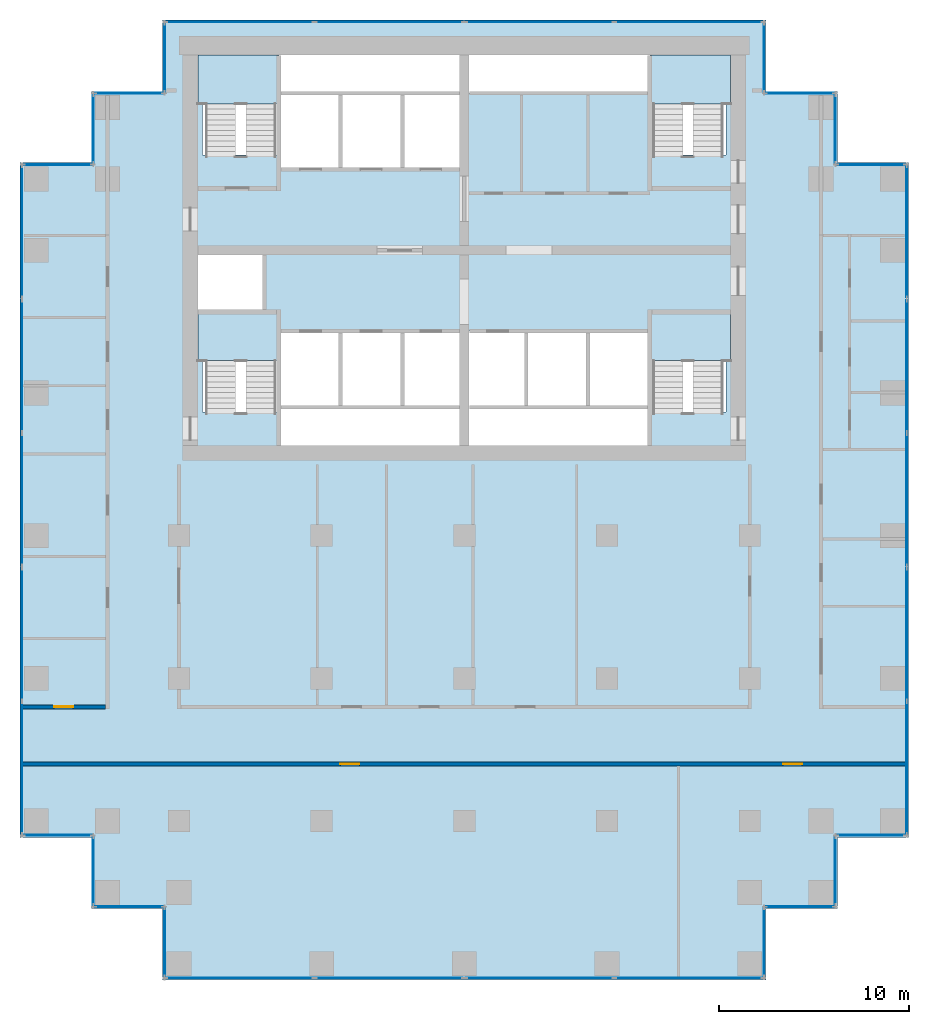
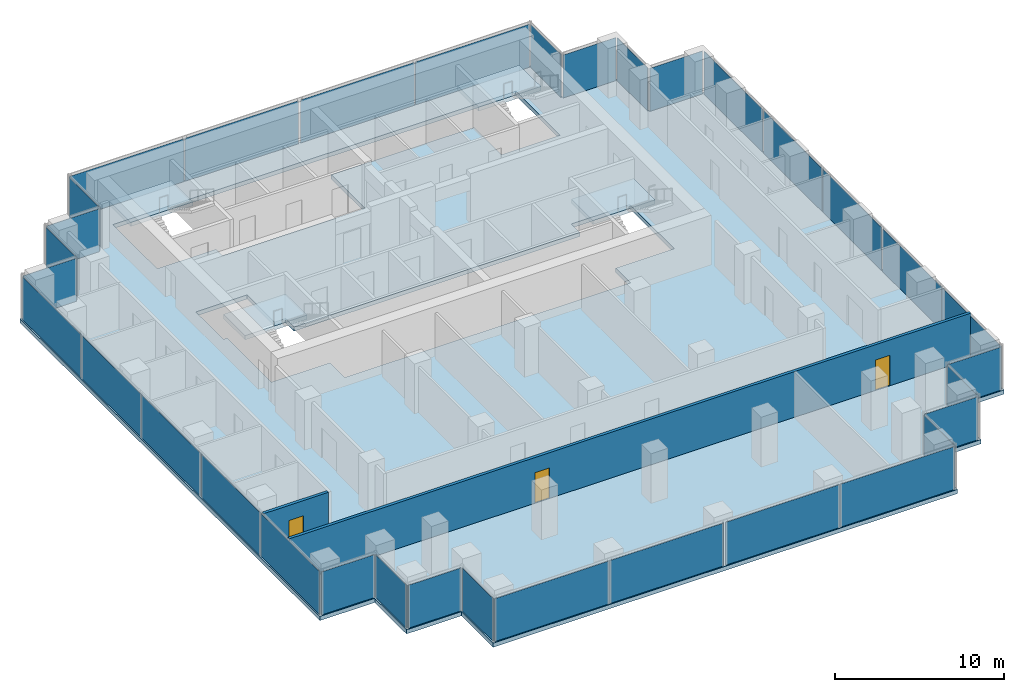
# One storey, part 6 of 10: 34 plates, 5 slabs, 3 doors, 2 walls, 3 openings, 30 elements without a shape of their own.
"""IFC4 building model written with IfcOpenShell, lengths in metres."""

from ifc_helpers import new_model, si_unit, direction, frame, frame_2d, origin, origin_2d, place, context, subcontext, project, spatial, polyline, rectangle, outline, extrude, material, layer, layer_set, type_object, element, fill, aggregate, save


model = new_model("IFC4")

# Units and contexts
model_context = context("Model", 3, precision=1e-05, world=origin(), true_north=direction((0.0, 1.0)))
body_context = subcontext(model_context, "Body", "Model", "MODEL_VIEW")
ifc_project = project(units=[si_unit("LENGTHUNIT", "METRE"), si_unit("AREAUNIT", "SQUARE_METRE"), si_unit("VOLUMEUNIT", "CUBIC_METRE"), si_unit("PLANEANGLEUNIT", "RADIAN"), si_unit("MASSUNIT", "GRAM", prefix="KILO")], contexts=[model_context])

# Site, building, storey
site_placement = place(None, origin())
site = spatial("IfcSite", under=ifc_project, at=site_placement, CompositionType="ELEMENT")
building_placement = place(site_placement, origin())
building = spatial("IfcBuilding", under=site, at=building_placement, Name="Pilkhan Gate Tower", CompositionType="ELEMENT")
storey_placement = place(building_placement, frame((0.0, 0.0, 132.39990234375)))
storey = spatial("IfcBuildingStorey", under=building, at=storey_placement, Name="L33", CompositionType="ELEMENT", Elevation=132.39990234375)

# Slab
ifc_material_1 = material(Name="Concrete C40/50", Category="concrete")
ifc_layer_1 = layer(ifc_material_1, 0.300048828125)
ifc_layer_set_1 = layer_set([ifc_layer_1], Name="Flat plate slab FP300")
slab_type_1 = type_object("IfcSlabType", Name="Flat plate slab FP300", PredefinedType="FLOOR", material=ifc_layer_set_1)
slab_1_placement = place(storey_placement, frame((0.0, 0.0, -0.2998046875)))
element("IfcSlab", 1, at=slab_1_placement, inside=storey, type_object=slab_type_1, Name="Floor slab L33", PredefinedType="FLOOR", context=body_context, shape_type="SweptSolid", body=[
    extrude(outline(polyline([(94.60009765625, 47.89990234375), (90.85009765625, 47.89990234375), (90.85009765625, 44.14990234375), (59.14990234375, 44.14990234375), (59.14990234375, 47.89990234375), (55.39990234375, 47.89990234375), (55.39990234375, 51.64990234375), (51.64990234375, 51.64990234375), (51.64990234375, 87.10009765625), (55.39990234375, 87.10009765625), (55.39990234375, 90.85009765625), (59.14990234375, 90.85009765625), (59.14990234375, 94.60009765625), (90.85009765625, 94.60009765625), (90.85009765625, 90.85009765625), (94.60009765625, 90.85009765625), (94.60009765625, 87.10009765625), (98.35009765625, 87.10009765625), (98.35009765625, 51.64990234375), (94.60009765625, 51.64990234375), (94.60009765625, 47.89990234375)]), holes=[polyline([(65.25, 87.5), (65.25, 86.75), (68.5, 86.75), (71.75, 86.75), (75.0, 86.75), (75.0, 90.75), (84.75, 90.75), (84.75, 87.5), (88.75, 87.5), (88.75, 92.75), (84.75, 92.75), (75.0, 92.75), (65.25, 92.75), (61.25, 92.75), (61.25, 87.5), (65.25, 87.5)]), polyline([(75.0, 72.25), (84.75, 72.25), (84.75, 74.0), (88.75, 74.0), (88.75, 79.25), (84.75, 79.25), (84.75, 78.25), (81.5, 78.25), (78.25, 78.25), (75.0, 78.25), (71.75, 78.25), (68.5, 78.25), (65.25, 78.25), (65.25, 79.25), (64.5, 79.25), (64.5, 82.5), (61.25, 82.5), (61.0, 82.5), (61.0, 79.25), (61.25, 79.25), (61.25, 74.0), (65.25, 74.0), (65.25, 72.25), (75.0, 72.25)])]), origin(), (0.0, 0.0, 1.0), 0.2998046875),
])

# Curtain wall, plates
ifc_material_2 = material(Name="Pale anodised aluminium, clear low-iron double glazing", Category="aluminium")
curtain_wall_type = type_object("IfcCurtainWallType", Name="Office unitised curtain wall CW-O1", PredefinedType="USERDEFINED", material=ifc_material_2)
curtain_wall_1_placement = place(storey_placement, origin())
curtain_wall_1 = element("IfcCurtainWall", 2, at=curtain_wall_1_placement, inside=storey, type_object=curtain_wall_type, Name="Office unitised curtain wall CW-O1 L33 E", ObjectType="UNITISED CURTAIN WALL", PredefinedType="USERDEFINED")
ifc_material_3 = material(Name="Clear low-iron double glazing", Category="glass")
ifc_layer_2 = layer(ifc_material_3, 0.0400390625)
ifc_layer_set_2 = layer_set([ifc_layer_2], Name="Glass panel CW-O1 40")
plate_type = type_object("IfcPlateType", Name="Glass panel CW-O1 40", PredefinedType="CURTAIN_PANEL", material=ifc_layer_set_2)
plate_1_placement = place(storey_placement, frame((98.25, 55.29248046875, 0.0), z_axis=(0.0, 0.0, 1.0), x_axis=(0.0, 1.0, 0.0)))
plate_1 = element("IfcPlate", 3, at=plate_1_placement, type_object=plate_type, Name="CW-O1 panel 1", PredefinedType="CURTAIN_PANEL", context=body_context, shape_type="SweptSolid", body=[
    extrude(rectangle(XDim=6.945068359375, YDim=0.0400390625, at=origin_2d()), origin(), (0.0, 0.0, 1.0), 3.10009765625),
])
plate_2_placement = place(storey_placement, frame((98.25, 62.3076171875, 0.0), z_axis=(0.0, 0.0, 1.0), x_axis=(0.0, 1.0, 0.0)))
plate_2 = element("IfcPlate", 4, at=plate_2_placement, type_object=plate_type, Name="CW-O1 panel 2", PredefinedType="CURTAIN_PANEL", context=body_context, shape_type="SweptSolid", body=[
    extrude(rectangle(XDim=6.945068359375, YDim=0.0400390625, at=origin_2d()), origin(), (0.0, 0.0, 1.0), 3.10009765625),
])
aggregate(curtain_wall_1, [plate_1, plate_2])

curtain_wall_2_placement = place(storey_placement, origin())
curtain_wall_2 = element("IfcCurtainWall", 5, at=curtain_wall_2_placement, inside=storey, type_object=curtain_wall_type, Name="Office unitised curtain wall CW-O1 L33 E", ObjectType="UNITISED CURTAIN WALL", PredefinedType="USERDEFINED")
plate_3_placement = place(storey_placement, frame((98.25, 69.392578125, 0.0), z_axis=(0.0, 0.0, 1.0), x_axis=(0.0, 1.0, 0.0)))
plate_3 = element("IfcPlate", 6, at=plate_3_placement, type_object=plate_type, Name="CW-O1 panel 1", PredefinedType="CURTAIN_PANEL", context=body_context, shape_type="SweptSolid", body=[
    extrude(rectangle(XDim=6.945068359375, YDim=0.0400390625, at=origin_2d()), origin(), (0.0, 0.0, 1.0), 3.10009765625),
])
plate_4_placement = place(storey_placement, frame((98.25, 76.407470703125, 0.0), z_axis=(0.0, 0.0, 1.0), x_axis=(0.0, 1.0, 0.0)))
plate_4 = element("IfcPlate", 7, at=plate_4_placement, type_object=plate_type, Name="CW-O1 panel 2", PredefinedType="CURTAIN_PANEL", context=body_context, shape_type="SweptSolid", body=[
    extrude(rectangle(XDim=6.945068359375, YDim=0.0400390625, at=origin_2d()), origin(), (0.0, 0.0, 1.0), 3.10009765625),
])
aggregate(curtain_wall_2, [plate_3, plate_4])

# Curtain wall, plate
curtain_wall_3_placement = place(storey_placement, origin())
curtain_wall_3 = element("IfcCurtainWall", 8, at=curtain_wall_3_placement, inside=storey, type_object=curtain_wall_type, Name="Office unitised curtain wall CW-O1 L33 E", ObjectType="UNITISED CURTAIN WALL", PredefinedType="USERDEFINED")
plate_5_placement = place(storey_placement, frame((98.25, 83.47509765625, 0.0), z_axis=(0.0, 0.0, 1.0), x_axis=(0.0, 1.0, 0.0)))
plate_5 = element("IfcPlate", 9, at=plate_5_placement, type_object=plate_type, Name="CW-O1 panel 1", PredefinedType="CURTAIN_PANEL", context=body_context, shape_type="SweptSolid", body=[
    extrude(rectangle(XDim=6.909912109375, YDim=0.0400390625, at=origin_2d()), origin(), (0.0, 0.0, 1.0), 3.10009765625),
])
aggregate(curtain_wall_3, [plate_5])

curtain_wall_4_placement = place(storey_placement, origin())
curtain_wall_4 = element("IfcCurtainWall", 10, at=curtain_wall_4_placement, inside=storey, type_object=curtain_wall_type, Name="Office unitised curtain wall CW-O1 L33 N", ObjectType="UNITISED CURTAIN WALL", PredefinedType="USERDEFINED")
plate_6_placement = place(storey_placement, frame((96.375, 87.0, 0.0), z_axis=(0.0, 0.0, 1.0), x_axis=(1.0, 0.0, 0.0)))
plate_6 = element("IfcPlate", 11, at=plate_6_placement, type_object=plate_type, Name="CW-O1 panel 1", PredefinedType="CURTAIN_PANEL", context=body_context, shape_type="SweptSolid", body=[
    extrude(rectangle(XDim=3.610107421875, YDim=0.0400390625, at=origin_2d()), origin(), (0.0, 0.0, 1.0), 3.10009765625),
])
aggregate(curtain_wall_4, [plate_6])

curtain_wall_5_placement = place(storey_placement, origin())
curtain_wall_5 = element("IfcCurtainWall", 12, at=curtain_wall_5_placement, inside=storey, type_object=curtain_wall_type, Name="Office unitised curtain wall CW-O1 L33 E", ObjectType="UNITISED CURTAIN WALL", PredefinedType="USERDEFINED")
plate_7_placement = place(storey_placement, frame((94.5, 88.875, 0.0), z_axis=(0.0, 0.0, 1.0), x_axis=(0.0, 1.0, 0.0)))
plate_7 = element("IfcPlate", 13, at=plate_7_placement, type_object=plate_type, Name="CW-O1 panel 1", PredefinedType="CURTAIN_PANEL", context=body_context, shape_type="SweptSolid", body=[
    extrude(rectangle(XDim=3.610107421875, YDim=0.0400390625, at=origin_2d()), origin(), (0.0, 0.0, 1.0), 3.10009765625),
])
aggregate(curtain_wall_5, [plate_7])

curtain_wall_6_placement = place(storey_placement, origin())
curtain_wall_6 = element("IfcCurtainWall", 14, at=curtain_wall_6_placement, inside=storey, type_object=curtain_wall_type, Name="Office unitised curtain wall CW-O1 L33 N", ObjectType="UNITISED CURTAIN WALL", PredefinedType="USERDEFINED")
plate_8_placement = place(storey_placement, frame((92.625, 90.75, 0.0), z_axis=(0.0, 0.0, 1.0), x_axis=(1.0, 0.0, 0.0)))
plate_8 = element("IfcPlate", 15, at=plate_8_placement, type_object=plate_type, Name="CW-O1 panel 1", PredefinedType="CURTAIN_PANEL", context=body_context, shape_type="SweptSolid", body=[
    extrude(rectangle(XDim=3.610107421875, YDim=0.0400390625, at=origin_2d()), origin(), (0.0, 0.0, 1.0), 3.10009765625),
])
aggregate(curtain_wall_6, [plate_8])

curtain_wall_7_placement = place(storey_placement, origin())
curtain_wall_7 = element("IfcCurtainWall", 16, at=curtain_wall_7_placement, inside=storey, type_object=curtain_wall_type, Name="Office unitised curtain wall CW-O1 L33 E", ObjectType="UNITISED CURTAIN WALL", PredefinedType="USERDEFINED")
plate_9_placement = place(storey_placement, frame((90.75, 92.625, 0.0), z_axis=(0.0, 0.0, 1.0), x_axis=(0.0, 1.0, 0.0)))
plate_9 = element("IfcPlate", 17, at=plate_9_placement, type_object=plate_type, Name="CW-O1 panel 1", PredefinedType="CURTAIN_PANEL", context=body_context, shape_type="SweptSolid", body=[
    extrude(rectangle(XDim=3.610107421875, YDim=0.0400390625, at=origin_2d()), origin(), (0.0, 0.0, 1.0), 3.10009765625),
])
aggregate(curtain_wall_7, [plate_9])

# Curtain wall, plates
curtain_wall_8_placement = place(storey_placement, origin())
curtain_wall_8 = element("IfcCurtainWall", 18, at=curtain_wall_8_placement, inside=storey, type_object=curtain_wall_type, Name="Office unitised curtain wall CW-O1 L33 N", ObjectType="UNITISED CURTAIN WALL", PredefinedType="USERDEFINED")
plate_10_placement = place(storey_placement, frame((63.205078125, 94.5, 0.0), z_axis=(0.0, 0.0, 1.0), x_axis=(1.0, 0.0, 0.0)))
plate_10 = element("IfcPlate", 19, at=plate_10_placement, type_object=plate_type, Name="CW-O1 panel 1", PredefinedType="CURTAIN_PANEL", context=body_context, shape_type="SweptSolid", body=[
    extrude(rectangle(XDim=7.77001953125, YDim=0.0400390625, at=origin_2d()), origin(), (0.0, 0.0, 1.0), 3.10009765625),
])
plate_11_placement = place(storey_placement, frame((71.044921875, 94.5, 0.0), z_axis=(0.0, 0.0, 1.0), x_axis=(1.0, 0.0, 0.0)))
plate_11 = element("IfcPlate", 20, at=plate_11_placement, type_object=plate_type, Name="CW-O1 panel 2", PredefinedType="CURTAIN_PANEL", context=body_context, shape_type="SweptSolid", body=[
    extrude(rectangle(XDim=7.77001953125, YDim=0.0400390625, at=origin_2d()), origin(), (0.0, 0.0, 1.0), 3.10009765625),
])
aggregate(curtain_wall_8, [plate_10, plate_11])

curtain_wall_9_placement = place(storey_placement, origin())
curtain_wall_9 = element("IfcCurtainWall", 21, at=curtain_wall_9_placement, inside=storey, type_object=curtain_wall_type, Name="Office unitised curtain wall CW-O1 L33 N", ObjectType="UNITISED CURTAIN WALL", PredefinedType="USERDEFINED")
plate_12_placement = place(storey_placement, frame((78.955078125, 94.5, 0.0), z_axis=(0.0, 0.0, 1.0), x_axis=(1.0, 0.0, 0.0)))
plate_12 = element("IfcPlate", 22, at=plate_12_placement, type_object=plate_type, Name="CW-O1 panel 1", PredefinedType="CURTAIN_PANEL", context=body_context, shape_type="SweptSolid", body=[
    extrude(rectangle(XDim=7.77001953125, YDim=0.0400390625, at=origin_2d()), origin(), (0.0, 0.0, 1.0), 3.10009765625),
])
plate_13_placement = place(storey_placement, frame((86.794921875, 94.5, 0.0), z_axis=(0.0, 0.0, 1.0), x_axis=(1.0, 0.0, 0.0)))
plate_13 = element("IfcPlate", 23, at=plate_13_placement, type_object=plate_type, Name="CW-O1 panel 2", PredefinedType="CURTAIN_PANEL", context=body_context, shape_type="SweptSolid", body=[
    extrude(rectangle(XDim=7.77001953125, YDim=0.0400390625, at=origin_2d()), origin(), (0.0, 0.0, 1.0), 3.10009765625),
])
aggregate(curtain_wall_9, [plate_12, plate_13])

# Curtain wall, plate
curtain_wall_10_placement = place(storey_placement, origin())
curtain_wall_10 = element("IfcCurtainWall", 24, at=curtain_wall_10_placement, inside=storey, type_object=curtain_wall_type, Name="Office unitised curtain wall CW-O1 L33 W", ObjectType="UNITISED CURTAIN WALL", PredefinedType="USERDEFINED")
plate_14_placement = place(storey_placement, frame((59.25, 92.625, 0.0), z_axis=(0.0, 0.0, 1.0), x_axis=(0.0, 1.0, 0.0)))
plate_14 = element("IfcPlate", 25, at=plate_14_placement, type_object=plate_type, Name="CW-O1 panel 1", PredefinedType="CURTAIN_PANEL", context=body_context, shape_type="SweptSolid", body=[
    extrude(rectangle(XDim=3.610107421875, YDim=0.0400390625, at=origin_2d()), origin(), (0.0, 0.0, 1.0), 3.10009765625),
])
aggregate(curtain_wall_10, [plate_14])

curtain_wall_11_placement = place(storey_placement, origin())
curtain_wall_11 = element("IfcCurtainWall", 26, at=curtain_wall_11_placement, inside=storey, type_object=curtain_wall_type, Name="Office unitised curtain wall CW-O1 L33 N", ObjectType="UNITISED CURTAIN WALL", PredefinedType="USERDEFINED")
plate_15_placement = place(storey_placement, frame((57.375, 90.75, 0.0), z_axis=(0.0, 0.0, 1.0), x_axis=(1.0, 0.0, 0.0)))
plate_15 = element("IfcPlate", 27, at=plate_15_placement, type_object=plate_type, Name="CW-O1 panel 1", PredefinedType="CURTAIN_PANEL", context=body_context, shape_type="SweptSolid", body=[
    extrude(rectangle(XDim=3.610107421875, YDim=0.0400390625, at=origin_2d()), origin(), (0.0, 0.0, 1.0), 3.10009765625),
])
aggregate(curtain_wall_11, [plate_15])

curtain_wall_12_placement = place(storey_placement, origin())
curtain_wall_12 = element("IfcCurtainWall", 28, at=curtain_wall_12_placement, inside=storey, type_object=curtain_wall_type, Name="Office unitised curtain wall CW-O1 L33 W", ObjectType="UNITISED CURTAIN WALL", PredefinedType="USERDEFINED")
plate_16_placement = place(storey_placement, frame((55.5, 88.875, 0.0), z_axis=(0.0, 0.0, 1.0), x_axis=(0.0, 1.0, 0.0)))
plate_16 = element("IfcPlate", 29, at=plate_16_placement, type_object=plate_type, Name="CW-O1 panel 1", PredefinedType="CURTAIN_PANEL", context=body_context, shape_type="SweptSolid", body=[
    extrude(rectangle(XDim=3.610107421875, YDim=0.0400390625, at=origin_2d()), origin(), (0.0, 0.0, 1.0), 3.10009765625),
])
aggregate(curtain_wall_12, [plate_16])

curtain_wall_13_placement = place(storey_placement, origin())
curtain_wall_13 = element("IfcCurtainWall", 30, at=curtain_wall_13_placement, inside=storey, type_object=curtain_wall_type, Name="Office unitised curtain wall CW-O1 L33 N", ObjectType="UNITISED CURTAIN WALL", PredefinedType="USERDEFINED")
plate_17_placement = place(storey_placement, frame((53.625, 87.0, 0.0), z_axis=(0.0, 0.0, 1.0), x_axis=(1.0, 0.0, 0.0)))
plate_17 = element("IfcPlate", 31, at=plate_17_placement, type_object=plate_type, Name="CW-O1 panel 1", PredefinedType="CURTAIN_PANEL", context=body_context, shape_type="SweptSolid", body=[
    extrude(rectangle(XDim=3.610107421875, YDim=0.0400390625, at=origin_2d()), origin(), (0.0, 0.0, 1.0), 3.10009765625),
])
aggregate(curtain_wall_13, [plate_17])

# Curtain wall, plates
curtain_wall_14_placement = place(storey_placement, origin())
curtain_wall_14 = element("IfcCurtainWall", 32, at=curtain_wall_14_placement, inside=storey, type_object=curtain_wall_type, Name="Office unitised curtain wall CW-O1 L33 W", ObjectType="UNITISED CURTAIN WALL", PredefinedType="USERDEFINED")
plate_18_placement = place(storey_placement, frame((51.75, 55.29248046875, 0.0), z_axis=(0.0, 0.0, 1.0), x_axis=(0.0, 1.0, 0.0)))
plate_18 = element("IfcPlate", 33, at=plate_18_placement, type_object=plate_type, Name="CW-O1 panel 1", PredefinedType="CURTAIN_PANEL", context=body_context, shape_type="SweptSolid", body=[
    extrude(rectangle(XDim=6.945068359375, YDim=0.0400390625, at=origin_2d()), origin(), (0.0, 0.0, 1.0), 3.10009765625),
])
plate_19_placement = place(storey_placement, frame((51.75, 62.3076171875, 0.0), z_axis=(0.0, 0.0, 1.0), x_axis=(0.0, 1.0, 0.0)))
plate_19 = element("IfcPlate", 34, at=plate_19_placement, type_object=plate_type, Name="CW-O1 panel 2", PredefinedType="CURTAIN_PANEL", context=body_context, shape_type="SweptSolid", body=[
    extrude(rectangle(XDim=6.945068359375, YDim=0.0400390625, at=origin_2d()), origin(), (0.0, 0.0, 1.0), 3.10009765625),
])
aggregate(curtain_wall_14, [plate_18, plate_19])

curtain_wall_15_placement = place(storey_placement, origin())
curtain_wall_15 = element("IfcCurtainWall", 35, at=curtain_wall_15_placement, inside=storey, type_object=curtain_wall_type, Name="Office unitised curtain wall CW-O1 L33 W", ObjectType="UNITISED CURTAIN WALL", PredefinedType="USERDEFINED")
plate_20_placement = place(storey_placement, frame((51.75, 69.392578125, 0.0), z_axis=(0.0, 0.0, 1.0), x_axis=(0.0, 1.0, 0.0)))
plate_20 = element("IfcPlate", 36, at=plate_20_placement, type_object=plate_type, Name="CW-O1 panel 1", PredefinedType="CURTAIN_PANEL", context=body_context, shape_type="SweptSolid", body=[
    extrude(rectangle(XDim=6.945068359375, YDim=0.0400390625, at=origin_2d()), origin(), (0.0, 0.0, 1.0), 3.10009765625),
])
plate_21_placement = place(storey_placement, frame((51.75, 76.407470703125, 0.0), z_axis=(0.0, 0.0, 1.0), x_axis=(0.0, 1.0, 0.0)))
plate_21 = element("IfcPlate", 37, at=plate_21_placement, type_object=plate_type, Name="CW-O1 panel 2", PredefinedType="CURTAIN_PANEL", context=body_context, shape_type="SweptSolid", body=[
    extrude(rectangle(XDim=6.945068359375, YDim=0.0400390625, at=origin_2d()), origin(), (0.0, 0.0, 1.0), 3.10009765625),
])
aggregate(curtain_wall_15, [plate_20, plate_21])

# Curtain wall, plate
curtain_wall_16_placement = place(storey_placement, origin())
curtain_wall_16 = element("IfcCurtainWall", 38, at=curtain_wall_16_placement, inside=storey, type_object=curtain_wall_type, Name="Office unitised curtain wall CW-O1 L33 W", ObjectType="UNITISED CURTAIN WALL", PredefinedType="USERDEFINED")
plate_22_placement = place(storey_placement, frame((51.75, 83.47509765625, 0.0), z_axis=(0.0, 0.0, 1.0), x_axis=(0.0, 1.0, 0.0)))
plate_22 = element("IfcPlate", 39, at=plate_22_placement, type_object=plate_type, Name="CW-O1 panel 1", PredefinedType="CURTAIN_PANEL", context=body_context, shape_type="SweptSolid", body=[
    extrude(rectangle(XDim=6.909912109375, YDim=0.0400390625, at=origin_2d()), origin(), (0.0, 0.0, 1.0), 3.10009765625),
])
aggregate(curtain_wall_16, [plate_22])

curtain_wall_17_placement = place(storey_placement, origin())
curtain_wall_17 = element("IfcCurtainWall", 40, at=curtain_wall_17_placement, inside=storey, type_object=curtain_wall_type, Name="Office unitised curtain wall CW-O1 L33 S", ObjectType="UNITISED CURTAIN WALL", PredefinedType="USERDEFINED")
plate_23_placement = place(storey_placement, frame((53.625, 51.75, 0.0), z_axis=(0.0, 0.0, 1.0), x_axis=(1.0, 0.0, 0.0)))
plate_23 = element("IfcPlate", 41, at=plate_23_placement, type_object=plate_type, Name="CW-O1 panel 1", PredefinedType="CURTAIN_PANEL", context=body_context, shape_type="SweptSolid", body=[
    extrude(rectangle(XDim=3.610107421875, YDim=0.0400390625, at=origin_2d()), origin(), (0.0, 0.0, 1.0), 3.10009765625),
])
aggregate(curtain_wall_17, [plate_23])

curtain_wall_18_placement = place(storey_placement, origin())
curtain_wall_18 = element("IfcCurtainWall", 42, at=curtain_wall_18_placement, inside=storey, type_object=curtain_wall_type, Name="Office unitised curtain wall CW-O1 L33 W", ObjectType="UNITISED CURTAIN WALL", PredefinedType="USERDEFINED")
plate_24_placement = place(storey_placement, frame((55.5, 49.875, 0.0), z_axis=(0.0, 0.0, 1.0), x_axis=(0.0, 1.0, 0.0)))
plate_24 = element("IfcPlate", 43, at=plate_24_placement, type_object=plate_type, Name="CW-O1 panel 1", PredefinedType="CURTAIN_PANEL", context=body_context, shape_type="SweptSolid", body=[
    extrude(rectangle(XDim=3.610107421875, YDim=0.0400390625, at=origin_2d()), origin(), (0.0, 0.0, 1.0), 3.10009765625),
])
aggregate(curtain_wall_18, [plate_24])

curtain_wall_19_placement = place(storey_placement, origin())
curtain_wall_19 = element("IfcCurtainWall", 44, at=curtain_wall_19_placement, inside=storey, type_object=curtain_wall_type, Name="Office unitised curtain wall CW-O1 L33 S", ObjectType="UNITISED CURTAIN WALL", PredefinedType="USERDEFINED")
plate_25_placement = place(storey_placement, frame((57.375, 48.0, 0.0), z_axis=(0.0, 0.0, 1.0), x_axis=(1.0, 0.0, 0.0)))
plate_25 = element("IfcPlate", 45, at=plate_25_placement, type_object=plate_type, Name="CW-O1 panel 1", PredefinedType="CURTAIN_PANEL", context=body_context, shape_type="SweptSolid", body=[
    extrude(rectangle(XDim=3.610107421875, YDim=0.0400390625, at=origin_2d()), origin(), (0.0, 0.0, 1.0), 3.10009765625),
])
aggregate(curtain_wall_19, [plate_25])

curtain_wall_20_placement = place(storey_placement, origin())
curtain_wall_20 = element("IfcCurtainWall", 46, at=curtain_wall_20_placement, inside=storey, type_object=curtain_wall_type, Name="Office unitised curtain wall CW-O1 L33 W", ObjectType="UNITISED CURTAIN WALL", PredefinedType="USERDEFINED")
plate_26_placement = place(storey_placement, frame((59.25, 46.125, 0.0), z_axis=(0.0, 0.0, 1.0), x_axis=(0.0, 1.0, 0.0)))
plate_26 = element("IfcPlate", 47, at=plate_26_placement, type_object=plate_type, Name="CW-O1 panel 1", PredefinedType="CURTAIN_PANEL", context=body_context, shape_type="SweptSolid", body=[
    extrude(rectangle(XDim=3.610107421875, YDim=0.0400390625, at=origin_2d()), origin(), (0.0, 0.0, 1.0), 3.10009765625),
])
aggregate(curtain_wall_20, [plate_26])

# Curtain wall, plates
curtain_wall_21_placement = place(storey_placement, origin())
curtain_wall_21 = element("IfcCurtainWall", 48, at=curtain_wall_21_placement, inside=storey, type_object=curtain_wall_type, Name="Office unitised curtain wall CW-O1 L33 S", ObjectType="UNITISED CURTAIN WALL", PredefinedType="USERDEFINED")
plate_27_placement = place(storey_placement, frame((63.205078125, 44.25, 0.0), z_axis=(0.0, 0.0, 1.0), x_axis=(1.0, 0.0, 0.0)))
plate_27 = element("IfcPlate", 49, at=plate_27_placement, type_object=plate_type, Name="CW-O1 panel 1", PredefinedType="CURTAIN_PANEL", context=body_context, shape_type="SweptSolid", body=[
    extrude(rectangle(XDim=7.77001953125, YDim=0.0400390625, at=origin_2d()), origin(), (0.0, 0.0, 1.0), 3.10009765625),
])
plate_28_placement = place(storey_placement, frame((71.044921875, 44.25, 0.0), z_axis=(0.0, 0.0, 1.0), x_axis=(1.0, 0.0, 0.0)))
plate_28 = element("IfcPlate", 50, at=plate_28_placement, type_object=plate_type, Name="CW-O1 panel 2", PredefinedType="CURTAIN_PANEL", context=body_context, shape_type="SweptSolid", body=[
    extrude(rectangle(XDim=7.77001953125, YDim=0.0400390625, at=origin_2d()), origin(), (0.0, 0.0, 1.0), 3.10009765625),
])
aggregate(curtain_wall_21, [plate_27, plate_28])

curtain_wall_22_placement = place(storey_placement, origin())
curtain_wall_22 = element("IfcCurtainWall", 51, at=curtain_wall_22_placement, inside=storey, type_object=curtain_wall_type, Name="Office unitised curtain wall CW-O1 L33 S", ObjectType="UNITISED CURTAIN WALL", PredefinedType="USERDEFINED")
plate_29_placement = place(storey_placement, frame((78.955078125, 44.25, 0.0), z_axis=(0.0, 0.0, 1.0), x_axis=(1.0, 0.0, 0.0)))
plate_29 = element("IfcPlate", 52, at=plate_29_placement, type_object=plate_type, Name="CW-O1 panel 1", PredefinedType="CURTAIN_PANEL", context=body_context, shape_type="SweptSolid", body=[
    extrude(rectangle(XDim=7.77001953125, YDim=0.0400390625, at=origin_2d()), origin(), (0.0, 0.0, 1.0), 3.10009765625),
])
plate_30_placement = place(storey_placement, frame((86.794921875, 44.25, 0.0), z_axis=(0.0, 0.0, 1.0), x_axis=(1.0, 0.0, 0.0)))
plate_30 = element("IfcPlate", 53, at=plate_30_placement, type_object=plate_type, Name="CW-O1 panel 2", PredefinedType="CURTAIN_PANEL", context=body_context, shape_type="SweptSolid", body=[
    extrude(rectangle(XDim=7.77001953125, YDim=0.0400390625, at=origin_2d()), origin(), (0.0, 0.0, 1.0), 3.10009765625),
])
aggregate(curtain_wall_22, [plate_29, plate_30])

# Curtain wall, plate
curtain_wall_23_placement = place(storey_placement, origin())
curtain_wall_23 = element("IfcCurtainWall", 54, at=curtain_wall_23_placement, inside=storey, type_object=curtain_wall_type, Name="Office unitised curtain wall CW-O1 L33 E", ObjectType="UNITISED CURTAIN WALL", PredefinedType="USERDEFINED")
plate_31_placement = place(storey_placement, frame((90.75, 46.125, 0.0), z_axis=(0.0, 0.0, 1.0), x_axis=(0.0, 1.0, 0.0)))
plate_31 = element("IfcPlate", 55, at=plate_31_placement, type_object=plate_type, Name="CW-O1 panel 1", PredefinedType="CURTAIN_PANEL", context=body_context, shape_type="SweptSolid", body=[
    extrude(rectangle(XDim=3.610107421875, YDim=0.0400390625, at=origin_2d()), origin(), (0.0, 0.0, 1.0), 3.10009765625),
])
aggregate(curtain_wall_23, [plate_31])

curtain_wall_24_placement = place(storey_placement, origin())
curtain_wall_24 = element("IfcCurtainWall", 56, at=curtain_wall_24_placement, inside=storey, type_object=curtain_wall_type, Name="Office unitised curtain wall CW-O1 L33 S", ObjectType="UNITISED CURTAIN WALL", PredefinedType="USERDEFINED")
plate_32_placement = place(storey_placement, frame((92.625, 48.0, 0.0), z_axis=(0.0, 0.0, 1.0), x_axis=(1.0, 0.0, 0.0)))
plate_32 = element("IfcPlate", 57, at=plate_32_placement, type_object=plate_type, Name="CW-O1 panel 1", PredefinedType="CURTAIN_PANEL", context=body_context, shape_type="SweptSolid", body=[
    extrude(rectangle(XDim=3.610107421875, YDim=0.0400390625, at=origin_2d()), origin(), (0.0, 0.0, 1.0), 3.10009765625),
])
aggregate(curtain_wall_24, [plate_32])

curtain_wall_25_placement = place(storey_placement, origin())
curtain_wall_25 = element("IfcCurtainWall", 58, at=curtain_wall_25_placement, inside=storey, type_object=curtain_wall_type, Name="Office unitised curtain wall CW-O1 L33 E", ObjectType="UNITISED CURTAIN WALL", PredefinedType="USERDEFINED")
plate_33_placement = place(storey_placement, frame((94.5, 49.875, 0.0), z_axis=(0.0, 0.0, 1.0), x_axis=(0.0, 1.0, 0.0)))
plate_33 = element("IfcPlate", 59, at=plate_33_placement, type_object=plate_type, Name="CW-O1 panel 1", PredefinedType="CURTAIN_PANEL", context=body_context, shape_type="SweptSolid", body=[
    extrude(rectangle(XDim=3.610107421875, YDim=0.0400390625, at=origin_2d()), origin(), (0.0, 0.0, 1.0), 3.10009765625),
])
aggregate(curtain_wall_25, [plate_33])

curtain_wall_26_placement = place(storey_placement, origin())
curtain_wall_26 = element("IfcCurtainWall", 60, at=curtain_wall_26_placement, inside=storey, type_object=curtain_wall_type, Name="Office unitised curtain wall CW-O1 L33 S", ObjectType="UNITISED CURTAIN WALL", PredefinedType="USERDEFINED")
plate_34_placement = place(storey_placement, frame((96.375, 51.75, 0.0), z_axis=(0.0, 0.0, 1.0), x_axis=(1.0, 0.0, 0.0)))
plate_34 = element("IfcPlate", 61, at=plate_34_placement, type_object=plate_type, Name="CW-O1 panel 1", PredefinedType="CURTAIN_PANEL", context=body_context, shape_type="SweptSolid", body=[
    extrude(rectangle(XDim=3.610107421875, YDim=0.0400390625, at=origin_2d()), origin(), (0.0, 0.0, 1.0), 3.10009765625),
])
aggregate(curtain_wall_26, [plate_34])

# Stair, slab
ifc_material_4 = material(Name="Concrete C40/50 precast", Category="concrete")
stair_type_1 = type_object("IfcStairType", Name="Stair ST1 164x280", PredefinedType="HALF_TURN_STAIR", material=ifc_material_4)
stair_1_placement = place(storey_placement, origin())
stair_1 = element("IfcStair", 62, at=stair_1_placement, inside=storey, type_object=stair_type_1, Name="Stair ST1 L33", PredefinedType="HALF_TURN_STAIR")
ifc_layer_3 = layer(ifc_material_1, 0.199951171875)
ifc_layer_set_3 = layer_set([ifc_layer_3], Name="Stair landing SL200")
slab_type_2 = type_object("IfcSlabType", Name="Stair landing SL200", PredefinedType="LANDING", material=ifc_layer_set_3)
slab_2_placement = place(storey_placement, frame((0.0, 0.0, 1.5)))
slab_2 = element("IfcSlab", 63, at=slab_2_placement, type_object=slab_type_2, Name="ST1 landing 1", PredefinedType="LANDING", context=body_context, shape_type="SweptSolid", body=[
    extrude(outline(polyline([(89.0, 76.699951171875), (89.0, 79.25), (84.75, 79.25), (84.75, 76.699951171875), (89.0, 76.699951171875)])), origin(), (0.0, 0.0, 1.0), 0.300048828125),
])
aggregate(stair_1, [slab_2])

stair_type_2 = type_object("IfcStairType", Name="Stair ST2 164x280", PredefinedType="HALF_TURN_STAIR", material=ifc_material_4)
stair_2_placement = place(storey_placement, origin())
stair_2 = element("IfcStair", 64, at=stair_2_placement, inside=storey, type_object=stair_type_2, Name="Stair ST2 L33", PredefinedType="HALF_TURN_STAIR")
slab_3_placement = place(storey_placement, frame((0.0, 0.0, 1.5)))
slab_3 = element("IfcSlab", 65, at=slab_3_placement, type_object=slab_type_2, Name="ST2 landing 1", PredefinedType="LANDING", context=body_context, shape_type="SweptSolid", body=[
    extrude(outline(polyline([(65.25, 76.699951171875), (65.25, 79.25), (61.0, 79.25), (61.0, 76.699951171875), (65.25, 76.699951171875)])), origin(), (0.0, 0.0, 1.0), 0.300048828125),
])
aggregate(stair_2, [slab_3])

stair_type_3 = type_object("IfcStairType", Name="Stair ST3 164x280", PredefinedType="HALF_TURN_STAIR", material=ifc_material_4)
stair_3_placement = place(storey_placement, origin())
stair_3 = element("IfcStair", 66, at=stair_3_placement, inside=storey, type_object=stair_type_3, Name="Stair ST3 L33", PredefinedType="HALF_TURN_STAIR")
slab_4_placement = place(storey_placement, frame((0.0, 0.0, 1.5)))
slab_4 = element("IfcSlab", 67, at=slab_4_placement, type_object=slab_type_2, Name="ST3 landing 1", PredefinedType="LANDING", context=body_context, shape_type="SweptSolid", body=[
    extrude(outline(polyline([(65.25, 90.199951171875), (65.25, 92.75), (61.0, 92.75), (61.0, 90.199951171875), (65.25, 90.199951171875)])), origin(), (0.0, 0.0, 1.0), 0.300048828125),
])
aggregate(stair_3, [slab_4])

stair_type_4 = type_object("IfcStairType", Name="Stair ST4 164x280", PredefinedType="HALF_TURN_STAIR", material=ifc_material_4)
stair_4_placement = place(storey_placement, origin())
stair_4 = element("IfcStair", 68, at=stair_4_placement, inside=storey, type_object=stair_type_4, Name="Stair ST4 L33", PredefinedType="HALF_TURN_STAIR")
slab_5_placement = place(storey_placement, frame((0.0, 0.0, 1.5)))
slab_5 = element("IfcSlab", 69, at=slab_5_placement, type_object=slab_type_2, Name="ST4 landing 1", PredefinedType="LANDING", context=body_context, shape_type="SweptSolid", body=[
    extrude(outline(polyline([(89.0, 90.199951171875), (89.0, 92.75), (84.75, 92.75), (84.75, 90.199951171875), (89.0, 90.199951171875)])), origin(), (0.0, 0.0, 1.0), 0.300048828125),
])
aggregate(stair_4, [slab_5])

# Wall, openings, doors
ifc_material_5 = material(Name="Dense blockwork", Category="masonry")
ifc_layer_4 = layer(ifc_material_5, 0.199951171875)
ifc_layer_set_4 = layer_set([ifc_layer_4], Name="Corridor wall FW200")
wall_type = type_object("IfcWallType", Name="Corridor wall FW200", PredefinedType="PARTITIONING", material=ifc_layer_set_4)
wall_1_placement = place(storey_placement, frame((51.735107421875, 55.5, 0.0), z_axis=(0.0, 0.0, 1.0), x_axis=(1.0, 0.0, 0.0)))
wall_1 = element("IfcWall", 70, at=wall_1_placement, inside=storey, type_object=wall_type, Name="Partition L33", PredefinedType="PARTITIONING", context=body_context, shape_type="SweptSolid", body=[
    extrude(rectangle(XDim=46.52978515625, YDim=0.199951171875, at=frame_2d((23.264892578125, 0.0))), origin(), (0.0, 0.0, 1.0), 3.300048828125),
])
opening_1_placement = place(wall_1_placement, frame((16.75, 0.0, 0.0)))
opening_1 = element("IfcOpeningElement", 71, at=opening_1_placement, cuts=wall_1, Name="Opening L33-14", PredefinedType="OPENING", context=body_context, shape_type="SweptSolid", body=[
    extrude(rectangle(XDim=1.0, YDim=2.199951171875, at=frame_2d((0.5, 1.10009765625))), frame((0.0, 0.10986328125, 0.0), z_axis=(0.0, -1.0, 0.0), x_axis=(1.0, 0.0, 0.0)), (0.0, 0.0, 1.0), 0.219970703125),
])
opening_2_placement = place(wall_1_placement, frame((40.014892578125, 0.0, 0.0)))
opening_2 = element("IfcOpeningElement", 72, at=opening_2_placement, cuts=wall_1, Name="Opening L33-15", PredefinedType="OPENING", context=body_context, shape_type="SweptSolid", body=[
    extrude(rectangle(XDim=1.0, YDim=2.199951171875, at=frame_2d((0.5, 1.10009765625))), frame((0.0, 0.10986328125, 0.0), z_axis=(0.0, -1.0, 0.0), x_axis=(1.0, 0.0, 0.0)), (0.0, 0.0, 1.0), 0.219970703125),
])
ifc_material_6 = material(Name="Timber flush door, 30 minute fire resisting", Category="wood")
door_type = type_object("IfcDoorType", Name="Room door D03 1000x2200", OperationType="SINGLE_SWING_LEFT", PredefinedType="DOOR", material=ifc_material_6)
door_1_placement = place(opening_1_placement, origin())
door_1 = element("IfcDoor", 73, at=door_1_placement, inside=storey, type_object=door_type, Name="Room door", OperationType="SINGLE_SWING_RIGHT", OverallHeight=2.199951171875, OverallWidth=1.0, PredefinedType="DOOR", context=body_context, shape_type="SweptSolid", body=[
    extrude(rectangle(XDim=1.0, YDim=2.199951171875, at=frame_2d((0.5, 1.10009765625))), frame((0.0, 0.02490234375, 0.0), z_axis=(0.0, -1.0, 0.0), x_axis=(1.0, 0.0, 0.0)), (0.0, 0.0, 1.0), 0.050048828125),
])
fill(opening_1, door_1)
door_2_placement = place(opening_2_placement, origin())
door_2 = element("IfcDoor", 74, at=door_2_placement, inside=storey, type_object=door_type, Name="Room door", OperationType="SINGLE_SWING_LEFT", OverallHeight=2.199951171875, OverallWidth=1.0, PredefinedType="DOOR", context=body_context, shape_type="SweptSolid", body=[
    extrude(rectangle(XDim=1.0, YDim=2.199951171875, at=frame_2d((0.5, 1.10009765625))), frame((0.0, 0.02490234375, 0.0), z_axis=(0.0, -1.0, 0.0), x_axis=(1.0, 0.0, 0.0)), (0.0, 0.0, 1.0), 0.050048828125),
])
fill(opening_2, door_2)

# Wall, opening, door
wall_2_placement = place(storey_placement, frame((51.735107421875, 58.5, 0.0), z_axis=(0.0, 0.0, 1.0), x_axis=(1.0, 0.0, 0.0)))
wall_2 = element("IfcWall", 75, at=wall_2_placement, inside=storey, type_object=wall_type, Name="Partition L33", PredefinedType="PARTITIONING", context=body_context, shape_type="SweptSolid", body=[
    extrude(rectangle(XDim=4.414794921875, YDim=0.199951171875, at=frame_2d((2.20751953125, 0.0))), origin(), (0.0, 0.0, 1.0), 3.300048828125),
])
opening_3_placement = place(wall_2_placement, frame((1.699951171875, 0.0, 0.0)))
opening_3 = element("IfcOpeningElement", 76, at=opening_3_placement, cuts=wall_2, Name="Opening L33-16", PredefinedType="OPENING", context=body_context, shape_type="SweptSolid", body=[
    extrude(rectangle(XDim=1.0, YDim=2.199951171875, at=frame_2d((0.5, 1.10009765625))), frame((0.0, 0.10986328125, 0.0), z_axis=(0.0, -1.0, 0.0), x_axis=(1.0, 0.0, 0.0)), (0.0, 0.0, 1.0), 0.219970703125),
])
door_3_placement = place(opening_3_placement, origin())
door_3 = element("IfcDoor", 77, at=door_3_placement, inside=storey, type_object=door_type, Name="Room door", OperationType="SINGLE_SWING_RIGHT", OverallHeight=2.199951171875, OverallWidth=1.0, PredefinedType="DOOR", context=body_context, shape_type="SweptSolid", body=[
    extrude(rectangle(XDim=1.0, YDim=2.199951171875, at=frame_2d((0.5, 1.10009765625))), frame((0.0, 0.02490234375, 0.0), z_axis=(0.0, -1.0, 0.0), x_axis=(1.0, 0.0, 0.0)), (0.0, 0.0, 1.0), 0.050048828125),
])
fill(opening_3, door_3)

save(model, "model.ifc")
